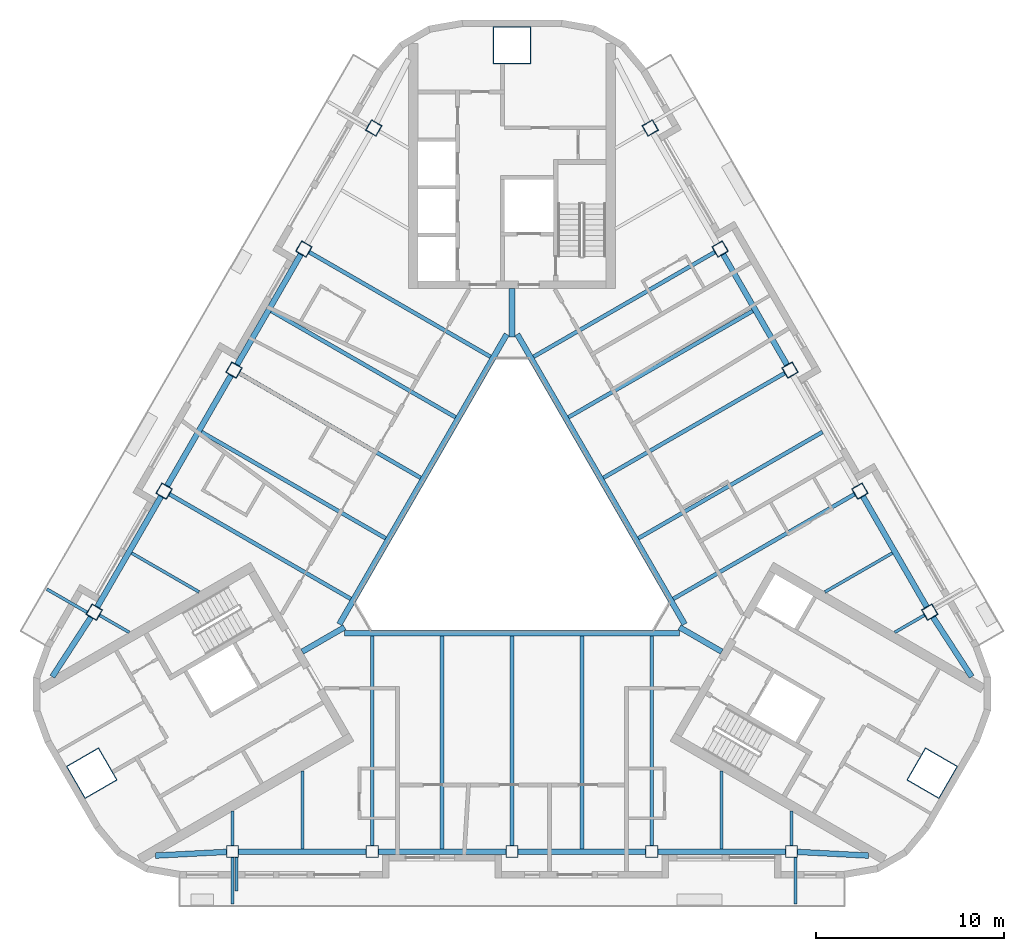
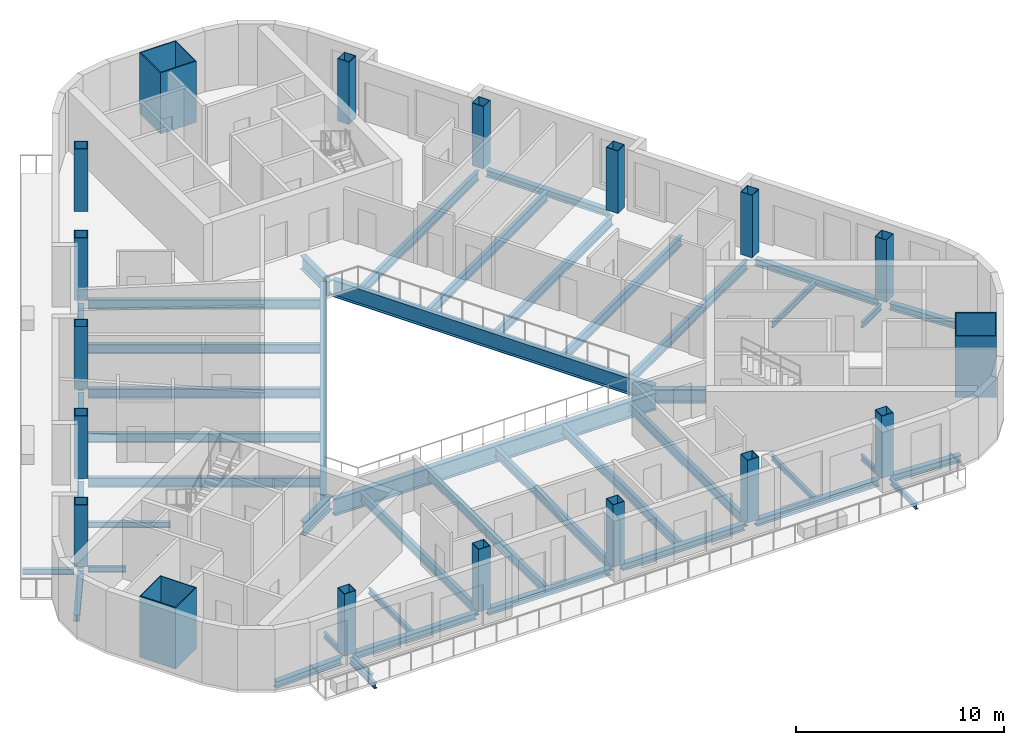
# One storey, part 1 of 13: 46 beams, 18 columns.
"""IFC4 building model written with IfcOpenShell, lengths in metres."""

from ifc_helpers import new_model, si_unit, direction, frame, origin, origin_2d, place, context, subcontext, project, spatial, rectangle, hollow_rectangle, i_section, extrude, boolean, halfspace, material, material_profile, profile_set, type_object, element, save


model = new_model("IFC4")

# Units and contexts
model_context = context("Model", 3, precision=1e-05, world=origin(), true_north=direction((0.0, 1.0)))
body_context = subcontext(model_context, "Body", "Model", "MODEL_VIEW")
ifc_project = project(units=[si_unit("LENGTHUNIT", "METRE"), si_unit("AREAUNIT", "SQUARE_METRE"), si_unit("VOLUMEUNIT", "CUBIC_METRE"), si_unit("PLANEANGLEUNIT", "RADIAN"), si_unit("MASSUNIT", "GRAM", prefix="KILO")], contexts=[model_context])

# Site, building, storey
site_placement = place(None, origin())
site = spatial("IfcSite", under=ifc_project, at=site_placement, CompositionType="ELEMENT")
building_placement = place(site_placement, origin())
building = spatial("IfcBuilding", under=site, at=building_placement, Name="Apuvela Tower Hotel", CompositionType="ELEMENT")
storey_placement = place(building_placement, frame((0.0, 0.0, 272.60009765625)))
storey = spatial("IfcBuildingStorey", under=building, at=storey_placement, Name="L67", CompositionType="ELEMENT", Elevation=272.60009765625)

# Columns
ifc_material_1 = material(Name="Steel S460", Category="steel")
ifc_material_profile_1 = material_profile(ifc_material_1, hollow_rectangle(XDim=2.0, YDim=2.0, WallThickness=0.050048828125, at=origin_2d()), Name="BOX 2000x2000x50")
ifc_material_2 = material(Name="Concrete C80/95", Category="concrete")
ifc_material_profile_2 = material_profile(ifc_material_2, rectangle(XDim=1.89990234375, YDim=1.89990234375, at=origin_2d()), Name="Concrete C80/95 infill")
ifc_profile_set_1 = profile_set([ifc_material_profile_1, ifc_material_profile_2], Name="Steel S460")
column_type_1 = type_object("IfcColumnType", Name="STR-MC mega column BOX 2000x2000x50", PredefinedType="COLUMN", material=ifc_profile_set_1)
for number, where, z_axis, x_axis, name in (
    (1, (0.0, 25.842529296875, 0.0), (0.0, 0.0, 1.0), (1.0, 0.0, 0.0), "Mega column MC4 N"),
    (2, (-22.38037109375, -12.92138671875, 0.0), (0.0, 0.0, 1.0), (-0.5, 0.866025403784, 0.0), "Mega column MC4 SW"),
    (3, (22.38037109375, -12.92138671875, 0.0), (0.0, 0.0, 1.0), (0.5, 0.866025403784, 0.0), "Mega column MC4 SE"),
):
    element("IfcColumn", number, at=place(storey_placement, frame(where, z_axis=z_axis, x_axis=x_axis)), inside=storey, type_object=column_type_1, Name=name, PredefinedType="COLUMN", context=body_context, shape_type="SweptSolid", body=[
        boolean("DIFFERENCE", extrude(hollow_rectangle(XDim=2.0, YDim=2.0, WallThickness=0.050048828125, at=origin_2d()), origin(), (0.0, 0.0, 1.0), 3.699951171875), halfspace(frame((0.0, 0.0, 3.586669921875), z_axis=(0.0, 0.0, 1.0), x_axis=(1.0, 0.0, 0.0)), False)),
    ])
ifc_material_profile_3 = material_profile(ifc_material_1, hollow_rectangle(XDim=0.64990234375, YDim=0.64990234375, WallThickness=0.030029296875, at=origin_2d()), Name="BOX 650x650x30")
ifc_material_profile_4 = material_profile(ifc_material_2, rectangle(XDim=0.590087890625, YDim=0.590087890625, at=origin_2d()), Name="Concrete C80/95 infill")
ifc_profile_set_2 = profile_set([ifc_material_profile_3, ifc_material_profile_4], Name="Steel S460")
column_type_2 = type_object("IfcColumnType", Name="STR-PC perimeter column BOX 650x650x30", PredefinedType="COLUMN", material=ifc_profile_set_2)
column_1_placement = place(storey_placement, frame((-14.88720703125, -17.095703125, 0.0), z_axis=(0.0, 0.0, 1.0), x_axis=(-1.0, 0.0, 0.0)))
element("IfcColumn", 4, at=column_1_placement, inside=storey, type_object=column_type_2, Name="Perimeter column C6 S1", PredefinedType="COLUMN", context=body_context, shape_type="SweptSolid", body=[
    boolean("DIFFERENCE", extrude(hollow_rectangle(XDim=0.64990234375, YDim=0.64990234375, WallThickness=0.030029296875, at=origin_2d()), origin(), (0.0, 0.0, 1.0), 3.699951171875), halfspace(frame((0.0, 0.0, 3.653076171875), z_axis=(0.0, 0.0, 1.0), x_axis=(1.0, 0.0, 0.0)), False)),
])
column_2_placement = place(storey_placement, frame((-7.443603515625, -17.095703125, 0.0), z_axis=(0.0, 0.0, 1.0), x_axis=(-1.0, 0.0, 0.0)))
element("IfcColumn", 5, at=column_2_placement, inside=storey, type_object=column_type_2, Name="Perimeter column C6 S2", PredefinedType="COLUMN", context=body_context, shape_type="SweptSolid", body=[
    boolean("DIFFERENCE", extrude(hollow_rectangle(XDim=0.64990234375, YDim=0.64990234375, WallThickness=0.030029296875, at=origin_2d()), origin(), (0.0, 0.0, 1.0), 3.699951171875), halfspace(frame((0.0, 0.0, 3.66015625), z_axis=(0.0, 0.0, 1.0), x_axis=(1.0, 0.0, 0.0)), False)),
])
column_3_placement = place(storey_placement, frame((0.0, -17.095703125, 0.0), z_axis=(0.0, 0.0, 1.0), x_axis=(-1.0, 0.0, 0.0)))
element("IfcColumn", 6, at=column_3_placement, inside=storey, type_object=column_type_2, Name="Perimeter column C6 S3", PredefinedType="COLUMN", context=body_context, shape_type="SweptSolid", body=[
    boolean("DIFFERENCE", extrude(hollow_rectangle(XDim=0.64990234375, YDim=0.64990234375, WallThickness=0.030029296875, at=origin_2d()), origin(), (0.0, 0.0, 1.0), 3.699951171875), halfspace(frame((0.0, 0.0, 3.662841796875), z_axis=(0.0, 0.0, 1.0), x_axis=(1.0, 0.0, 0.0)), False)),
])
column_4_placement = place(storey_placement, frame((7.443603515625, -17.095703125, 0.0), z_axis=(0.0, 0.0, 1.0), x_axis=(-1.0, 0.0, 0.0)))
element("IfcColumn", 7, at=column_4_placement, inside=storey, type_object=column_type_2, Name="Perimeter column C6 S4", PredefinedType="COLUMN", context=body_context, shape_type="SweptSolid", body=[
    boolean("DIFFERENCE", extrude(hollow_rectangle(XDim=0.64990234375, YDim=0.64990234375, WallThickness=0.030029296875, at=origin_2d()), origin(), (0.0, 0.0, 1.0), 3.699951171875), halfspace(frame((0.0, 0.0, 3.66015625), z_axis=(0.0, 0.0, 1.0), x_axis=(1.0, 0.0, 0.0)), False)),
])
for number, where, z_axis, x_axis, name in (
    (8, (14.88720703125, -17.095703125, 0.0), (0.0, 0.0, 1.0), (-1.0, 0.0, 0.0), "Perimeter column C6 S5"),
    (9, (22.2490234375, -4.3447265625, 0.0), (0.0, 0.0, 1.0), (-0.5, 0.866025403784, 0.0), "Perimeter column C6 NE1"),
):
    element("IfcColumn", number, at=place(storey_placement, frame(where, z_axis=z_axis, x_axis=x_axis)), inside=storey, type_object=column_type_2, Name=name, PredefinedType="COLUMN", context=body_context, shape_type="SweptSolid", body=[
        boolean("DIFFERENCE", extrude(hollow_rectangle(XDim=0.64990234375, YDim=0.64990234375, WallThickness=0.030029296875, at=origin_2d()), origin(), (0.0, 0.0, 1.0), 3.699951171875), halfspace(frame((0.0, 0.0, 3.653076171875), z_axis=(0.0, 0.0, 1.0), x_axis=(1.0, 0.0, 0.0)), False)),
    ])
column_5_placement = place(storey_placement, frame((18.527099609375, 2.1015625, 0.0), z_axis=(0.0, 0.0, 1.0), x_axis=(-0.5, 0.866025403784, 0.0)))
element("IfcColumn", 10, at=column_5_placement, inside=storey, type_object=column_type_2, Name="Perimeter column C6 NE2", PredefinedType="COLUMN", context=body_context, shape_type="SweptSolid", body=[
    boolean("DIFFERENCE", extrude(hollow_rectangle(XDim=0.64990234375, YDim=0.64990234375, WallThickness=0.030029296875, at=origin_2d()), origin(), (0.0, 0.0, 1.0), 3.699951171875), halfspace(frame((0.0, 0.0, 3.66015625), z_axis=(0.0, 0.0, 1.0), x_axis=(1.0, 0.0, 0.0)), False)),
])
column_6_placement = place(storey_placement, frame((14.805419921875, 8.5478515625, 0.0), z_axis=(0.0, 0.0, 1.0), x_axis=(-0.5, 0.866025403784, 0.0)))
element("IfcColumn", 11, at=column_6_placement, inside=storey, type_object=column_type_2, Name="Perimeter column C6 NE3", PredefinedType="COLUMN", context=body_context, shape_type="SweptSolid", body=[
    boolean("DIFFERENCE", extrude(hollow_rectangle(XDim=0.64990234375, YDim=0.64990234375, WallThickness=0.030029296875, at=origin_2d()), origin(), (0.0, 0.0, 1.0), 3.699951171875), halfspace(frame((0.0, 0.0, 3.662841796875), z_axis=(0.0, 0.0, 1.0), x_axis=(1.0, 0.0, 0.0)), False)),
])
column_7_placement = place(storey_placement, frame((11.08349609375, 14.994140625, 0.0), z_axis=(0.0, 0.0, 1.0), x_axis=(-0.5, 0.866025403784, 0.0)))
element("IfcColumn", 12, at=column_7_placement, inside=storey, type_object=column_type_2, Name="Perimeter column C6 NE4", PredefinedType="COLUMN", context=body_context, shape_type="SweptSolid", body=[
    boolean("DIFFERENCE", extrude(hollow_rectangle(XDim=0.64990234375, YDim=0.64990234375, WallThickness=0.030029296875, at=origin_2d()), origin(), (0.0, 0.0, 1.0), 3.699951171875), halfspace(frame((0.0, 0.0, 3.66015625), z_axis=(0.0, 0.0, 1.0), x_axis=(1.0, 0.0, 0.0)), False)),
])
for number, where, z_axis, x_axis, name in (
    (13, (7.36181640625, 21.4404296875, 0.0), (0.0, 0.0, 1.0), (-0.5, 0.866025403784, 0.0), "Perimeter column C6 NE5"),
    (14, (-7.36181640625, 21.4404296875, 0.0), (0.0, 0.0, 1.0), (0.5, 0.866025403784, 0.0), "Perimeter column C6 NW1"),
):
    element("IfcColumn", number, at=place(storey_placement, frame(where, z_axis=z_axis, x_axis=x_axis)), inside=storey, type_object=column_type_2, Name=name, PredefinedType="COLUMN", context=body_context, shape_type="SweptSolid", body=[
        boolean("DIFFERENCE", extrude(hollow_rectangle(XDim=0.64990234375, YDim=0.64990234375, WallThickness=0.030029296875, at=origin_2d()), origin(), (0.0, 0.0, 1.0), 3.699951171875), halfspace(frame((0.0, 0.0, 3.653076171875), z_axis=(0.0, 0.0, 1.0), x_axis=(1.0, 0.0, 0.0)), False)),
    ])
column_8_placement = place(storey_placement, frame((-11.08349609375, 14.994140625, 0.0), z_axis=(0.0, 0.0, 1.0), x_axis=(0.5, 0.866025403784, 0.0)))
element("IfcColumn", 15, at=column_8_placement, inside=storey, type_object=column_type_2, Name="Perimeter column C6 NW2", PredefinedType="COLUMN", context=body_context, shape_type="SweptSolid", body=[
    boolean("DIFFERENCE", extrude(hollow_rectangle(XDim=0.64990234375, YDim=0.64990234375, WallThickness=0.030029296875, at=origin_2d()), origin(), (0.0, 0.0, 1.0), 3.699951171875), halfspace(frame((0.0, 0.0, 3.66015625), z_axis=(0.0, 0.0, 1.0), x_axis=(1.0, 0.0, 0.0)), False)),
])
column_9_placement = place(storey_placement, frame((-14.805419921875, 8.5478515625, 0.0), z_axis=(0.0, 0.0, 1.0), x_axis=(0.5, 0.866025403784, 0.0)))
element("IfcColumn", 16, at=column_9_placement, inside=storey, type_object=column_type_2, Name="Perimeter column C6 NW3", PredefinedType="COLUMN", context=body_context, shape_type="SweptSolid", body=[
    boolean("DIFFERENCE", extrude(hollow_rectangle(XDim=0.64990234375, YDim=0.64990234375, WallThickness=0.030029296875, at=origin_2d()), origin(), (0.0, 0.0, 1.0), 3.699951171875), halfspace(frame((0.0, 0.0, 3.662841796875), z_axis=(0.0, 0.0, 1.0), x_axis=(1.0, 0.0, 0.0)), False)),
])
column_10_placement = place(storey_placement, frame((-18.527099609375, 2.1015625, 0.0), z_axis=(0.0, 0.0, 1.0), x_axis=(0.5, 0.866025403784, 0.0)))
element("IfcColumn", 17, at=column_10_placement, inside=storey, type_object=column_type_2, Name="Perimeter column C6 NW4", PredefinedType="COLUMN", context=body_context, shape_type="SweptSolid", body=[
    boolean("DIFFERENCE", extrude(hollow_rectangle(XDim=0.64990234375, YDim=0.64990234375, WallThickness=0.030029296875, at=origin_2d()), origin(), (0.0, 0.0, 1.0), 3.699951171875), halfspace(frame((0.0, 0.0, 3.66015625), z_axis=(0.0, 0.0, 1.0), x_axis=(1.0, 0.0, 0.0)), False)),
])
column_11_placement = place(storey_placement, frame((-22.2490234375, -4.3447265625, 0.0), z_axis=(0.0, 0.0, 1.0), x_axis=(0.5, 0.866025403784, 0.0)))
element("IfcColumn", 18, at=column_11_placement, inside=storey, type_object=column_type_2, Name="Perimeter column C6 NW5", PredefinedType="COLUMN", context=body_context, shape_type="SweptSolid", body=[
    boolean("DIFFERENCE", extrude(hollow_rectangle(XDim=0.64990234375, YDim=0.64990234375, WallThickness=0.030029296875, at=origin_2d()), origin(), (0.0, 0.0, 1.0), 3.699951171875), halfspace(frame((0.0, 0.0, 3.653076171875), z_axis=(0.0, 0.0, 1.0), x_axis=(1.0, 0.0, 0.0)), False)),
])

# Beams
ifc_material_3 = material(Name="Steel S355", Category="steel")
ifc_material_profile_5 = material_profile(ifc_material_3, i_section(OverallWidth=0.159912109375, OverallDepth=0.330078125, WebThickness=0.007568359375, FlangeThickness=0.011474609375, at=origin_2d()), Name="IPE 330")
ifc_profile_set_3 = profile_set([ifc_material_profile_5], Name="Steel S355")
beam_type_1 = type_object("IfcBeamType", Name="ENV-BALCONY-BEAM-IPE330", PredefinedType="BEAM", material=ifc_profile_set_3)
beam_1_placement = place(storey_placement, frame((-14.88720703125, -17.4208984375, -0.315185546875), z_axis=(0.0, -1.0, 0.0), x_axis=(1.0, 0.0, 0.0)))
element("IfcBeam", 19, at=beam_1_placement, inside=storey, type_object=beam_type_1, Name="Balcony cantilever beam S1 L67", PredefinedType="BEAM", context=body_context, shape_type="SweptSolid", body=[
    extrude(i_section(OverallWidth=0.159912109375, OverallDepth=0.330078125, WebThickness=0.007568359375, FlangeThickness=0.011474609375, at=origin_2d()), origin(), (0.0, 0.0, 1.0), 2.474853515625),
])
beam_2_placement = place(storey_placement, frame((-14.6669921875, -17.4208984375, -0.315185546875), z_axis=(0.0, -1.0, 0.0), x_axis=(1.0, 0.0, 0.0)))
element("IfcBeam", 20, at=beam_2_placement, inside=storey, type_object=beam_type_1, Name="Balcony cantilever beam S2 L67", PredefinedType="BEAM", context=body_context, shape_type="SweptSolid", body=[
    extrude(i_section(OverallWidth=0.159912109375, OverallDepth=0.330078125, WebThickness=0.007568359375, FlangeThickness=0.011474609375, at=origin_2d()), origin(), (0.0, 0.0, 1.0), 1.77490234375),
])
for number, where, z_axis, x_axis, name in (
    (21, (15.087158203125, -17.4208984375, -0.315185546875), (0.0, -1.0, 0.0), (1.0, 0.0, 0.0), "Balcony cantilever beam S3 L67"),
    (22, (-22.63037109375, -4.35546875, -0.315185546875), (-0.866006523861, 0.500032699561, 0.0), (-0.500032699561, -0.866006523861, 0.0), "Balcony cantilever beam NW3 L67"),
):
    element("IfcBeam", number, at=place(storey_placement, frame(where, z_axis=z_axis, x_axis=x_axis)), inside=storey, type_object=beam_type_1, Name=name, PredefinedType="BEAM", context=body_context, shape_type="SweptSolid", body=[
        extrude(i_section(OverallWidth=0.159912109375, OverallDepth=0.330078125, WebThickness=0.007568359375, FlangeThickness=0.011474609375, at=origin_2d()), origin(), (0.0, 0.0, 1.0), 2.474853515625),
    ])
ifc_material_profile_6 = material_profile(ifc_material_3, i_section(OverallWidth=0.159912109375, OverallDepth=0.330078125, WebThickness=0.007568359375, FlangeThickness=0.011474609375, at=origin_2d()), Name="IPE 330")
ifc_profile_set_4 = profile_set([ifc_material_profile_6], Name="Steel S355")
beam_type_2 = type_object("IfcBeamType", Name="STR-B floor beam IPE 330", PredefinedType="BEAM", material=ifc_profile_set_4)
beam_3_placement = place(storey_placement, frame((21.967529296875, -4.507080078125, -0.315185546875), z_axis=(-0.865978377894, -0.500081442387, 0.0), x_axis=(0.500081442387, -0.865978377894, 0.0)))
element("IfcBeam", 23, at=beam_3_placement, inside=storey, type_object=beam_type_2, Name="Floor beam B1 NE1", PredefinedType="BEAM", context=body_context, shape_type="SweptSolid", body=[
    extrude(i_section(OverallWidth=0.159912109375, OverallDepth=0.330078125, WebThickness=0.007568359375, FlangeThickness=0.011474609375, at=origin_2d()), origin(), (0.0, 0.0, 1.0), 1.824951171875),
])
for number, where, z_axis, x_axis, name in (
    (24, (20.25830078125, -1.196533203125, -0.315185546875), (-0.866021936146, -0.500006006077, 0.0), (0.500006006077, -0.866021936146, 0.0), "Floor beam B1 NE2"),
    (25, (-20.25830078125, -1.196533203125, -0.315185546875), (0.866021936146, -0.500006006077, 0.0), (0.500006006077, 0.866021936146, 0.0), "Floor beam B1 NW8"),
):
    element("IfcBeam", number, at=place(storey_placement, frame(where, z_axis=z_axis, x_axis=x_axis)), inside=storey, type_object=beam_type_2, Name=name, PredefinedType="BEAM", context=body_context, shape_type="SweptSolid", body=[
        extrude(i_section(OverallWidth=0.159912109375, OverallDepth=0.330078125, WebThickness=0.007568359375, FlangeThickness=0.011474609375, at=origin_2d()), origin(), (0.0, 0.0, 1.0), 4.14892578125),
    ])
for number, where, z_axis, x_axis, name in (
    (26, (-21.967529296875, -4.507080078125, -0.315185546875), (0.865978377894, -0.500081442387, 0.0), (0.500081442387, 0.865978377894, 0.0), "Floor beam B1 NW9"),
    (27, (-14.88720703125, -16.770751953125, -0.315185546875), (0.0, 1.0, 0.0), (-1.0, 0.0, 0.0), "Floor beam B1 S1"),
):
    element("IfcBeam", number, at=place(storey_placement, frame(where, z_axis=z_axis, x_axis=x_axis)), inside=storey, type_object=beam_type_2, Name=name, PredefinedType="BEAM", context=body_context, shape_type="SweptSolid", body=[
        extrude(i_section(OverallWidth=0.159912109375, OverallDepth=0.330078125, WebThickness=0.007568359375, FlangeThickness=0.011474609375, at=origin_2d()), origin(), (0.0, 0.0, 1.0), 1.824951171875),
    ])
for number, where, z_axis, x_axis, name in (
    (28, (-11.165283203125, -16.94580078125, -0.315185546875), (0.0, 1.0, 0.0), (-1.0, 0.0, 0.0), "Floor beam B1 S2"),
    (29, (11.165283203125, -16.94580078125, -0.315185546875), (0.0, 1.0, 0.0), (-1.0, 0.0, 0.0), "Floor beam B1 S8"),
):
    element("IfcBeam", number, at=place(storey_placement, frame(where, z_axis=z_axis, x_axis=x_axis)), inside=storey, type_object=beam_type_2, Name=name, PredefinedType="BEAM", context=body_context, shape_type="SweptSolid", body=[
        extrude(i_section(OverallWidth=0.159912109375, OverallDepth=0.330078125, WebThickness=0.007568359375, FlangeThickness=0.011474609375, at=origin_2d()), origin(), (0.0, 0.0, 1.0), 4.148681640625),
    ])
beam_4_placement = place(storey_placement, frame((14.88720703125, -16.770751953125, -0.315185546875), z_axis=(0.0, 1.0, 0.0), x_axis=(-1.0, 0.0, 0.0)))
element("IfcBeam", 30, at=beam_4_placement, inside=storey, type_object=beam_type_2, Name="Floor beam B1 S9", PredefinedType="BEAM", context=body_context, shape_type="SweptSolid", body=[
    extrude(i_section(OverallWidth=0.159912109375, OverallDepth=0.330078125, WebThickness=0.007568359375, FlangeThickness=0.011474609375, at=origin_2d()), origin(), (0.0, 0.0, 1.0), 1.824951171875),
])
ifc_material_profile_7 = material_profile(ifc_material_3, i_section(OverallWidth=0.2099609375, OverallDepth=0.550048828125, WebThickness=0.010986328125, FlangeThickness=0.01708984375, at=origin_2d()), Name="IPE 550")
ifc_profile_set_5 = profile_set([ifc_material_profile_7], Name="Steel S355")
beam_type_3 = type_object("IfcBeamType", Name="STR-B floor beam IPE 550", PredefinedType="BEAM", material=ifc_profile_set_5)
beam_5_placement = place(storey_placement, frame((18.24560546875, 1.939208984375, -0.425048828125), z_axis=(-0.866020782377, -0.500008004428, 0.0), x_axis=(0.500008004428, -0.866020782377, 0.0)))
element("IfcBeam", 31, at=beam_5_placement, inside=storey, type_object=beam_type_3, Name="Floor beam B7 NE3", PredefinedType="BEAM", context=body_context, shape_type="SweptSolid", body=[
    extrude(i_section(OverallWidth=0.2099609375, OverallDepth=0.550048828125, WebThickness=0.010986328125, FlangeThickness=0.01708984375, at=origin_2d()), origin(), (0.0, 0.0, 1.0), 11.150634765625),
])
beam_6_placement = place(storey_placement, frame((16.536376953125, 5.249755859375, -0.425048828125), z_axis=(-0.866025843094, -0.499999239093, 0.0), x_axis=(0.499999239093, -0.866025843094, 0.0)))
element("IfcBeam", 32, at=beam_6_placement, inside=storey, type_object=beam_type_3, Name="Floor beam B7 NE4", PredefinedType="BEAM", context=body_context, shape_type="SweptSolid", body=[
    extrude(i_section(OverallWidth=0.2099609375, OverallDepth=0.550048828125, WebThickness=0.010986328125, FlangeThickness=0.01708984375, at=origin_2d()), origin(), (0.0, 0.0, 1.0), 11.32568359375),
])
beam_7_placement = place(storey_placement, frame((14.52392578125, 8.385498046875, -0.425048828125), z_axis=(-0.866020782377, -0.500008004428, 0.0), x_axis=(0.500008004428, -0.866020782377, 0.0)))
element("IfcBeam", 33, at=beam_7_placement, inside=storey, type_object=beam_type_3, Name="Floor beam B7 NE5", PredefinedType="BEAM", context=body_context, shape_type="SweptSolid", body=[
    extrude(i_section(OverallWidth=0.2099609375, OverallDepth=0.550048828125, WebThickness=0.010986328125, FlangeThickness=0.01708984375, at=origin_2d()), origin(), (0.0, 0.0, 1.0), 11.150634765625),
])
beam_8_placement = place(storey_placement, frame((12.814697265625, 11.696044921875, -0.425048828125), z_axis=(-0.866031232011, -0.49998990508, 0.0), x_axis=(0.49998990508, -0.866031232011, 0.0)))
element("IfcBeam", 34, at=beam_8_placement, inside=storey, type_object=beam_type_3, Name="Floor beam B7 NE6", PredefinedType="BEAM", context=body_context, shape_type="SweptSolid", body=[
    extrude(i_section(OverallWidth=0.2099609375, OverallDepth=0.550048828125, WebThickness=0.010986328125, FlangeThickness=0.01708984375, at=origin_2d()), origin(), (0.0, 0.0, 1.0), 11.325927734375),
])
for number, where, z_axis, x_axis, name in (
    (35, (10.80224609375, 14.831787109375, -0.425048828125), (-0.866026256057, -0.499998523817, 0.0), (0.499998523817, -0.866026256057, 0.0), "Floor beam B7 NE7"),
    (36, (-10.80224609375, 14.831787109375, -0.425048828125), (0.866026256057, -0.499998523817, 0.0), (0.499998523817, 0.866026256057, 0.0), "Floor beam B7 NW3"),
):
    element("IfcBeam", number, at=place(storey_placement, frame(where, z_axis=z_axis, x_axis=x_axis)), inside=storey, type_object=beam_type_3, Name=name, PredefinedType="BEAM", context=body_context, shape_type="SweptSolid", body=[
        extrude(i_section(OverallWidth=0.2099609375, OverallDepth=0.550048828125, WebThickness=0.010986328125, FlangeThickness=0.01708984375, at=origin_2d()), origin(), (0.0, 0.0, 1.0), 11.15087890625),
    ])
beam_9_placement = place(storey_placement, frame((-12.814697265625, 11.696044921875, -0.425048828125), z_axis=(0.866031232011, -0.49998990508, 0.0), x_axis=(0.49998990508, 0.866031232011, 0.0)))
element("IfcBeam", 37, at=beam_9_placement, inside=storey, type_object=beam_type_3, Name="Floor beam B7 NW4", PredefinedType="BEAM", context=body_context, shape_type="SweptSolid", body=[
    extrude(i_section(OverallWidth=0.2099609375, OverallDepth=0.550048828125, WebThickness=0.010986328125, FlangeThickness=0.01708984375, at=origin_2d()), origin(), (0.0, 0.0, 1.0), 11.325927734375),
])
beam_10_placement = place(storey_placement, frame((-14.52392578125, 8.385498046875, -0.425048828125), z_axis=(0.866020782377, -0.500008004428, 0.0), x_axis=(0.500008004428, 0.866020782377, 0.0)))
element("IfcBeam", 38, at=beam_10_placement, inside=storey, type_object=beam_type_3, Name="Floor beam B7 NW5", PredefinedType="BEAM", context=body_context, shape_type="SweptSolid", body=[
    extrude(i_section(OverallWidth=0.2099609375, OverallDepth=0.550048828125, WebThickness=0.010986328125, FlangeThickness=0.01708984375, at=origin_2d()), origin(), (0.0, 0.0, 1.0), 11.150634765625),
])
beam_11_placement = place(storey_placement, frame((-16.536376953125, 5.249755859375, -0.425048828125), z_axis=(0.866025843094, -0.499999239093, 0.0), x_axis=(0.499999239093, 0.866025843094, 0.0)))
element("IfcBeam", 39, at=beam_11_placement, inside=storey, type_object=beam_type_3, Name="Floor beam B7 NW6", PredefinedType="BEAM", context=body_context, shape_type="SweptSolid", body=[
    extrude(i_section(OverallWidth=0.2099609375, OverallDepth=0.550048828125, WebThickness=0.010986328125, FlangeThickness=0.01708984375, at=origin_2d()), origin(), (0.0, 0.0, 1.0), 11.32568359375),
])
for number, where, z_axis, x_axis, name in (
    (40, (-18.24560546875, 1.939208984375, -0.425048828125), (0.866020782377, -0.500008004428, 0.0), (0.500008004428, 0.866020782377, 0.0), "Floor beam B7 NW7"),
    (41, (-7.443603515625, -16.770751953125, -0.425048828125), (0.0, 1.0, 0.0), (-1.0, 0.0, 0.0), "Floor beam B7 S3"),
):
    element("IfcBeam", number, at=place(storey_placement, frame(where, z_axis=z_axis, x_axis=x_axis)), inside=storey, type_object=beam_type_3, Name=name, PredefinedType="BEAM", context=body_context, shape_type="SweptSolid", body=[
        extrude(i_section(OverallWidth=0.2099609375, OverallDepth=0.550048828125, WebThickness=0.010986328125, FlangeThickness=0.01708984375, at=origin_2d()), origin(), (0.0, 0.0, 1.0), 11.150634765625),
    ])
beam_12_placement = place(storey_placement, frame((-3.7216796875, -16.94580078125, -0.425048828125), z_axis=(0.0, 1.0, 0.0), x_axis=(-1.0, 0.0, 0.0)))
element("IfcBeam", 42, at=beam_12_placement, inside=storey, type_object=beam_type_3, Name="Floor beam B7 S4", PredefinedType="BEAM", context=body_context, shape_type="SweptSolid", body=[
    extrude(i_section(OverallWidth=0.2099609375, OverallDepth=0.550048828125, WebThickness=0.010986328125, FlangeThickness=0.01708984375, at=origin_2d()), origin(), (0.0, 0.0, 1.0), 11.32568359375),
])
beam_13_placement = place(storey_placement, frame((0.0, -16.770751953125, -0.425048828125), z_axis=(0.0, 1.0, 0.0), x_axis=(-1.0, 0.0, 0.0)))
element("IfcBeam", 43, at=beam_13_placement, inside=storey, type_object=beam_type_3, Name="Floor beam B7 S5", PredefinedType="BEAM", context=body_context, shape_type="SweptSolid", body=[
    extrude(i_section(OverallWidth=0.2099609375, OverallDepth=0.550048828125, WebThickness=0.010986328125, FlangeThickness=0.01708984375, at=origin_2d()), origin(), (0.0, 0.0, 1.0), 11.150634765625),
])
beam_14_placement = place(storey_placement, frame((3.7216796875, -16.94580078125, -0.425048828125), z_axis=(0.0, 1.0, 0.0), x_axis=(-1.0, 0.0, 0.0)))
element("IfcBeam", 44, at=beam_14_placement, inside=storey, type_object=beam_type_3, Name="Floor beam B7 S6", PredefinedType="BEAM", context=body_context, shape_type="SweptSolid", body=[
    extrude(i_section(OverallWidth=0.2099609375, OverallDepth=0.550048828125, WebThickness=0.010986328125, FlangeThickness=0.01708984375, at=origin_2d()), origin(), (0.0, 0.0, 1.0), 11.32568359375),
])
beam_15_placement = place(storey_placement, frame((7.443603515625, -16.770751953125, -0.425048828125), z_axis=(0.0, 1.0, 0.0), x_axis=(-1.0, 0.0, 0.0)))
element("IfcBeam", 45, at=beam_15_placement, inside=storey, type_object=beam_type_3, Name="Floor beam B7 S7", PredefinedType="BEAM", context=body_context, shape_type="SweptSolid", body=[
    extrude(i_section(OverallWidth=0.2099609375, OverallDepth=0.550048828125, WebThickness=0.010986328125, FlangeThickness=0.01708984375, at=origin_2d()), origin(), (0.0, 0.0, 1.0), 11.150634765625),
])
ifc_material_profile_8 = material_profile(ifc_material_3, i_section(OverallWidth=0.300048828125, OverallDepth=0.989990234375, WebThickness=0.0166015625, FlangeThickness=0.031005859375, at=origin_2d()), Name="HE 1000 A")
ifc_profile_set_6 = profile_set([ifc_material_profile_8], Name="Steel S355")
beam_type_4 = type_object("IfcBeamType", Name="STR-G atrium ring girder HE 1000 A", PredefinedType="BEAM", material=ifc_profile_set_6)
beam_16_placement = place(storey_placement, frame((-0.27978515625, 10.455078125, -0.64501953125), z_axis=(-0.500006541319, -0.866021627119, 0.0), x_axis=(0.866021627119, -0.500006541319, 0.0)))
element("IfcBeam", 46, at=beam_16_placement, inside=storey, type_object=beam_type_4, Name="Atrium ring girder G3 N-SW", PredefinedType="BEAM", context=body_context, shape_type="SweptSolid", body=[
    extrude(i_section(OverallWidth=0.300048828125, OverallDepth=0.989990234375, WebThickness=0.0166015625, FlangeThickness=0.031005859375, at=origin_2d()), origin(), (0.0, 0.0, 1.0), 17.828857421875),
])
beam_17_placement = place(storey_placement, frame((-8.91455078125, -5.469970703125, -0.64501953125), z_axis=(1.0, 0.0, 0.0), x_axis=(0.0, 1.0, 0.0)))
element("IfcBeam", 47, at=beam_17_placement, inside=storey, type_object=beam_type_4, Name="Atrium ring girder G3 SW-SE", PredefinedType="BEAM", context=body_context, shape_type="SweptSolid", body=[
    extrude(i_section(OverallWidth=0.300048828125, OverallDepth=0.989990234375, WebThickness=0.0166015625, FlangeThickness=0.031005859375, at=origin_2d()), origin(), (0.0, 0.0, 1.0), 17.8291015625),
])
beam_18_placement = place(storey_placement, frame((9.1943359375, -4.985107421875, -0.64501953125), z_axis=(-0.500006541319, 0.866021627119, 0.0), x_axis=(-0.866021627119, -0.500006541319, 0.0)))
element("IfcBeam", 48, at=beam_18_placement, inside=storey, type_object=beam_type_4, Name="Atrium ring girder G3 SE-N", PredefinedType="BEAM", context=body_context, shape_type="SweptSolid", body=[
    extrude(i_section(OverallWidth=0.300048828125, OverallDepth=0.989990234375, WebThickness=0.0166015625, FlangeThickness=0.031005859375, at=origin_2d()), origin(), (0.0, 0.0, 1.0), 17.828857421875),
])
ifc_material_profile_9 = material_profile(ifc_material_3, i_section(OverallWidth=0.300048828125, OverallDepth=0.800048828125, WebThickness=0.017578125, FlangeThickness=0.032958984375, at=origin_2d()), Name="HE 800 B")
ifc_profile_set_7 = profile_set([ifc_material_profile_9], Name="Steel S355")
beam_type_5 = type_object("IfcBeamType", Name="STR-GT core tie beam HE 800 B", PredefinedType="BEAM", material=ifc_profile_set_7)
for number, where, z_axis, x_axis, name in (
    (49, (0.0, 12.89990234375, -0.550048828125), (0.0, -1.0, 0.0), (1.0, 0.0, 0.0), "Core tie beam GT1 N"),
    (50, (-11.171630859375, -6.449951171875, -0.550048828125), (0.865997922154, 0.500047596559, 0.0), (-0.500047596559, 0.865997922154, 0.0), "Core tie beam GT1 SW"),
    (51, (11.171630859375, -6.449951171875, -0.550048828125), (-0.865997922154, 0.500047596559, 0.0), (-0.500047596559, -0.865997922154, 0.0), "Core tie beam GT1 SE"),
):
    element("IfcBeam", number, at=place(storey_placement, frame(where, z_axis=z_axis, x_axis=x_axis)), inside=storey, type_object=beam_type_5, Name=name, PredefinedType="BEAM", context=body_context, shape_type="SweptSolid", body=[
        extrude(i_section(OverallWidth=0.300048828125, OverallDepth=0.800048828125, WebThickness=0.017578125, FlangeThickness=0.032958984375, at=origin_2d()), origin(), (0.0, 0.0, 1.0), 2.599853515625),
    ])
ifc_material_profile_10 = material_profile(ifc_material_3, i_section(OverallWidth=0.300048828125, OverallDepth=0.389892578125, WebThickness=0.010986328125, FlangeThickness=0.01904296875, at=origin_2d()), Name="HE 400 A")
ifc_profile_set_8 = profile_set([ifc_material_profile_10], Name="Steel S355")
beam_type_6 = type_object("IfcBeamType", Name="STR-SB spandrel beam HE 400 A", PredefinedType="SPANDREL", material=ifc_profile_set_8)
beam_19_placement = place(storey_placement, frame((-14.56201171875, -17.095703125, -0.34521484375), z_axis=(1.0, 0.0, 0.0), x_axis=(0.0, 1.0, 0.0)))
element("IfcBeam", 52, at=beam_19_placement, inside=storey, type_object=beam_type_6, Name="Spandrel beam SB4 S1", PredefinedType="SPANDREL", context=body_context, shape_type="SweptSolid", body=[
    extrude(i_section(OverallWidth=0.300048828125, OverallDepth=0.389892578125, WebThickness=0.010986328125, FlangeThickness=0.01904296875, at=origin_2d()), origin(), (0.0, 0.0, 1.0), 6.79345703125),
])
for number, where, z_axis, x_axis, name in (
    (53, (-7.11865234375, -17.095703125, -0.34521484375), (1.0, 0.0, 0.0), (0.0, 1.0, 0.0), "Spandrel beam SB4 S2"),
    (54, (0.324951171875, -17.095703125, -0.34521484375), (1.0, 0.0, 0.0), (0.0, 1.0, 0.0), "Spandrel beam SB4 S3"),
):
    element("IfcBeam", number, at=place(storey_placement, frame(where, z_axis=z_axis, x_axis=x_axis)), inside=storey, type_object=beam_type_6, Name=name, PredefinedType="SPANDREL", context=body_context, shape_type="SweptSolid", body=[
        extrude(i_section(OverallWidth=0.300048828125, OverallDepth=0.389892578125, WebThickness=0.010986328125, FlangeThickness=0.01904296875, at=origin_2d()), origin(), (0.0, 0.0, 1.0), 6.793701171875),
    ])
for number, where, z_axis, x_axis, name in (
    (55, (7.7685546875, -17.095703125, -0.34521484375), (1.0, 0.0, 0.0), (0.0, 1.0, 0.0), "Spandrel beam SB4 S4"),
    (56, (22.08642578125, -4.063232421875, -0.34521484375), (-0.500000356135, 0.86602519817, 0.0), (-0.86602519817, -0.500000356135, 0.0), "Spandrel beam SB4 NE1"),
):
    element("IfcBeam", number, at=place(storey_placement, frame(where, z_axis=z_axis, x_axis=x_axis)), inside=storey, type_object=beam_type_6, Name=name, PredefinedType="SPANDREL", context=body_context, shape_type="SweptSolid", body=[
        extrude(i_section(OverallWidth=0.300048828125, OverallDepth=0.389892578125, WebThickness=0.010986328125, FlangeThickness=0.01904296875, at=origin_2d()), origin(), (0.0, 0.0, 1.0), 6.79345703125),
    ])
for number, where, z_axis, x_axis, name in (
    (57, (14.642822265625, 8.829345703125, -0.34521484375), (-0.499984795077, 0.866034182173, 0.0), (-0.866034182173, -0.499984795077, 0.0), "Spandrel beam SB4 NE3"),
    (58, (-11.24609375, 14.712890625, -0.34521484375), (-0.499984795077, -0.866034182173, 0.0), (0.866034182173, -0.499984795077, 0.0), "Spandrel beam SB4 NW2"),
    (59, (-14.968017578125, 8.2666015625, -0.34521484375), (-0.499984795077, -0.866034182173, 0.0), (0.866034182173, -0.499984795077, 0.0), "Spandrel beam SB4 NW3"),
):
    element("IfcBeam", number, at=place(storey_placement, frame(where, z_axis=z_axis, x_axis=x_axis)), inside=storey, type_object=beam_type_6, Name=name, PredefinedType="SPANDREL", context=body_context, shape_type="SweptSolid", body=[
        extrude(i_section(OverallWidth=0.300048828125, OverallDepth=0.389892578125, WebThickness=0.010986328125, FlangeThickness=0.01904296875, at=origin_2d()), origin(), (0.0, 0.0, 1.0), 6.793701171875),
    ])
beam_20_placement = place(storey_placement, frame((-18.689697265625, 1.820068359375, -0.34521484375), z_axis=(-0.500000356135, -0.86602519817, 0.0), x_axis=(0.86602519817, -0.500000356135, 0.0)))
element("IfcBeam", 60, at=beam_20_placement, inside=storey, type_object=beam_type_6, Name="Spandrel beam SB4 NW4", PredefinedType="SPANDREL", context=body_context, shape_type="SweptSolid", body=[
    extrude(i_section(OverallWidth=0.300048828125, OverallDepth=0.389892578125, WebThickness=0.010986328125, FlangeThickness=0.01904296875, at=origin_2d()), origin(), (0.0, 0.0, 1.0), 6.79345703125),
])
for number, where, z_axis, x_axis, name in (
    (61, (-15.212158203125, -17.11279296875, -0.34521484375), (-0.998642913713, -0.052080043116, 0.0), (0.052080043116, -0.998642913713, 0.0), "Spandrel beam SB4 S1-SW"),
    (62, (15.212158203125, -17.11279296875, -0.34521484375), (0.998642913713, -0.052080043116, 0.0), (0.052080043116, 0.998642913713, 0.0), "Spandrel beam SB4 S5-SE"),
    (63, (22.42626953125, -4.61767578125, -0.34521484375), (0.544401535323, -0.838824754248, 0.0), (0.838824754248, 0.544401535323, 0.0), "Spandrel beam SB4 NE1-SE"),
    (64, (-22.42626953125, -4.61767578125, -0.34521484375), (-0.544401535323, -0.838824754248, 0.0), (0.838824754248, -0.544401535323, 0.0), "Spandrel beam SB4 NW5-SW"),
):
    element("IfcBeam", number, at=place(storey_placement, frame(where, z_axis=z_axis, x_axis=x_axis)), inside=storey, type_object=beam_type_6, Name=name, PredefinedType="SPANDREL", context=body_context, shape_type="SweptSolid", body=[
        extrude(i_section(OverallWidth=0.300048828125, OverallDepth=0.389892578125, WebThickness=0.010986328125, FlangeThickness=0.01904296875, at=origin_2d()), origin(), (0.0, 0.0, 1.0), 3.773681640625),
    ])

save(model, "model.ifc")
